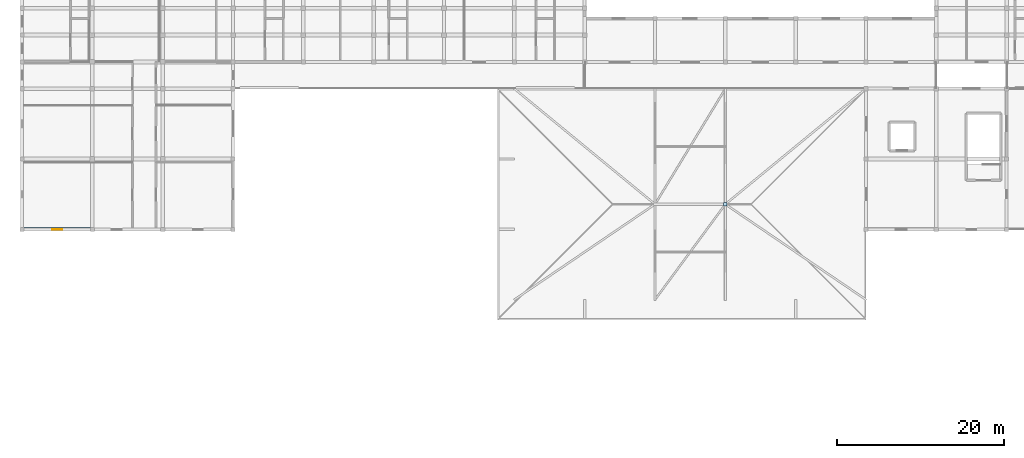
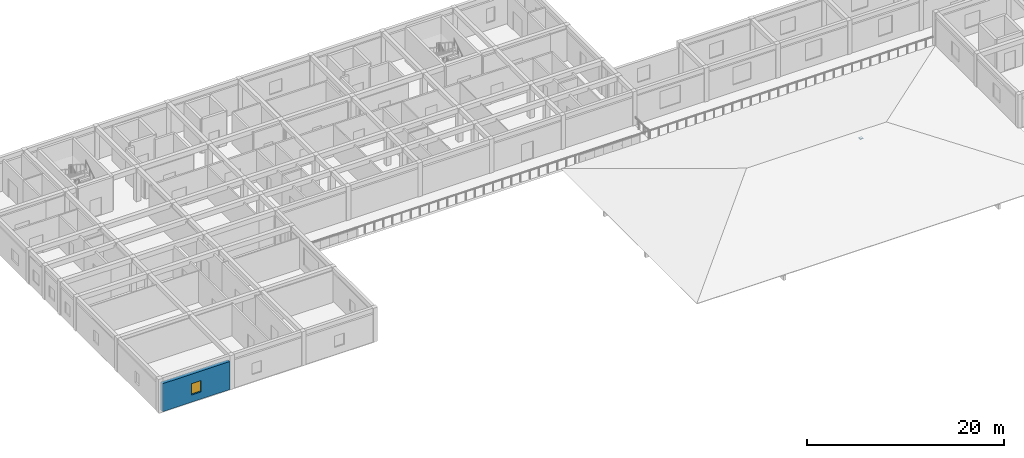
# One storey, part 7 of 28: 1 plate, 1 wall, 1 window, 1 opening.
"""IFC4 building model written with IfcOpenShell, lengths in metres."""

from ifc_helpers import new_model, si_unit, direction, frame, frame_2d, origin, origin_2d, place, context, subcontext, project, spatial, rectangle, extrude, material, layer, layer_set, type_object, element, fill, save


model = new_model("IFC4")

# Units and contexts
model_context = context("Model", 3, precision=1e-05, world=origin(), true_north=direction((0.0, 1.0)))
body_context = subcontext(model_context, "Body", "Model", "MODEL_VIEW")
ifc_project = project(units=[si_unit("LENGTHUNIT", "METRE"), si_unit("AREAUNIT", "SQUARE_METRE"), si_unit("VOLUMEUNIT", "CUBIC_METRE"), si_unit("PLANEANGLEUNIT", "RADIAN"), si_unit("MASSUNIT", "GRAM", prefix="KILO")], contexts=[model_context])

# Site, building, storey
site_placement = place(None, origin())
site = spatial("IfcSite", under=ifc_project, at=site_placement, CompositionType="ELEMENT")
building_placement = place(site_placement, origin())
building = spatial("IfcBuilding", under=site, at=building_placement, Name="Varncliffe General Hospital", CompositionType="ELEMENT")
storey_placement = place(building_placement, frame((0.0, 0.0, 24.60009765625)))
storey = spatial("IfcBuildingStorey", under=building, at=storey_placement, Name="L05", CompositionType="ELEMENT", Elevation=24.60009765625)

# Plate
ifc_material_1 = material(Name="Steel S355 (CSA G40.21 350W)", Category="steel")
ifc_layer_1 = layer(ifc_material_1, 0.031982421875)
ifc_layer_set_1 = layer_set([ifc_layer_1], Name="Steel S355 (CSA G40.21 350W)")
plate_type = type_object("IfcPlateType", Name="Steel Gusset and End Plate GP16 (32mm)", PredefinedType="SHEET", material=ifc_layer_set_1)
plate_placement = place(storey_placement, frame((84.0, 85.800048828125, 2.6787109375), z_axis=(0.0, 0.0, 1.0), x_axis=(1.0, 0.0, 0.0)))
element("IfcPlate", 1, at=plate_placement, inside=storey, type_object=plate_type, Name="L05 RF-V4-OR Lateral Brace Gusset Plate 1", PredefinedType="SHEET", context=body_context, shape_type="SweptSolid", body=[
    extrude(rectangle(XDim=0.39990234375, YDim=0.39990234375, at=origin_2d()), origin(), (0.0, 0.0, 1.0), 0.031982421875),
])

# Wall, opening, window
ifc_material_2 = material(Name="Precast concrete C40/50 with insulated cream lime-cement stucco", Category="concrete")
ifc_layer_2 = layer(ifc_material_2, 0.39990234375)
ifc_layer_set_2 = layer_set([ifc_layer_2], Name="Precast concrete C40/50 with insulated cream lime-cement stucco")
wall_type = type_object("IfcWallType", Name="Exterior Insulated Stucco Wall EW47 (400mm)", PredefinedType="SOLIDWALL", material=ifc_layer_set_2)
wall_placement = place(storey_placement, frame((8.152099609375, 82.800048828125, 0.0), z_axis=(0.0, 0.0, 1.0), x_axis=(-1.0, 0.0, 0.0)))
wall = element("IfcWall", 2, at=wall_placement, inside=storey, type_object=wall_type, Name="L05 Exterior Stucco Wall EW47-412", PredefinedType="SOLIDWALL", context=body_context, shape_type="SweptSolid", body=[
    extrude(rectangle(XDim=7.904052734375, YDim=0.39990234375, at=frame_2d((3.9521484375, 0.0))), origin(), (0.0, 0.0, 1.0), 3.47998046875),
])
opening_placement = place(wall_placement, frame((3.376953125, 0.0, 0.89990234375)))
opening = element("IfcOpeningElement", 3, at=opening_placement, cuts=wall, Name="Opening WN62", PredefinedType="OPENING", context=body_context, shape_type="SweptSolid", body=[
    extrude(rectangle(XDim=1.14990234375, YDim=1.39990234375, at=frame_2d((0.574951171875, 0.699951171875))), frame((0.0, 0.2099609375, 0.0), z_axis=(0.0, -1.0, 0.0), x_axis=(1.0, 0.0, 0.0)), (0.0, 0.0, 1.0), 0.419921875),
])
ifc_material_3 = material(Name="Triple low-E argon insulated vision glazing", Category="glass")
window_type = type_object("IfcWindowType", Name="Triple-Glazed Hospital Window WN62 (1150x1400)", PartitioningType="SINGLE_PANEL", PredefinedType="WINDOW", material=ifc_material_3)
window_placement = place(opening_placement, origin())
window = element("IfcWindow", 4, at=window_placement, inside=storey, type_object=window_type, Name="L05 Hospital Window WN62-308", OverallHeight=1.39990234375, OverallWidth=1.14990234375, PartitioningType="SINGLE_PANEL", PredefinedType="WINDOW", context=body_context, shape_type="SweptSolid", body=[
    extrude(rectangle(XDim=1.14990234375, YDim=1.39990234375, at=frame_2d((0.574951171875, 0.699951171875))), frame((0.0, 0.030029296875, 0.0), z_axis=(0.0, -1.0, 0.0), x_axis=(1.0, 0.0, 0.0)), (0.0, 0.0, 1.0), 0.06005859375),
])
fill(opening, window)

save(model, "model.ifc")
